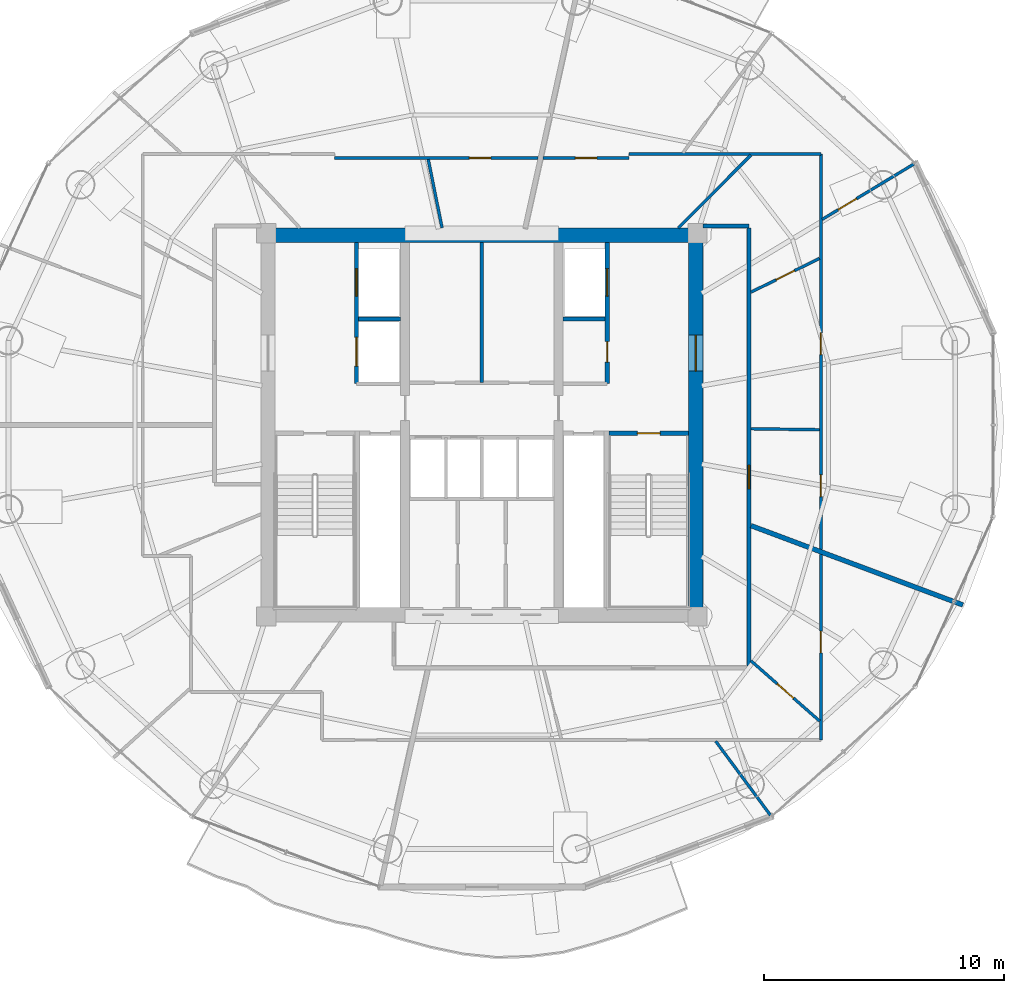
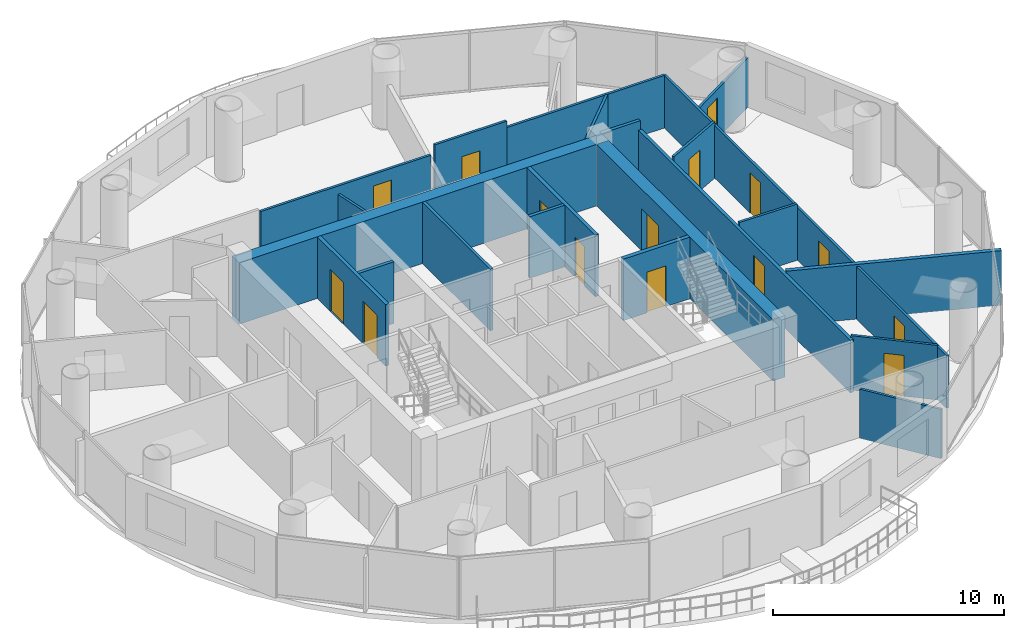
# One storey, part 22 of 26: 23 walls, 15 doors, 15 openings.
"""IFC4 building model written with IfcOpenShell, lengths in metres."""

from ifc_helpers import new_model, si_unit, direction, frame, frame_2d, origin, place, context, subcontext, project, spatial, rectangle, extrude, source, transform, mapped, material, layer, layer_set, type_object, element, fill, save


model = new_model("IFC4")

# Units and contexts
model_context = context("Model", 3, precision=1e-05, world=origin(), true_north=direction((-0.2419218956, 0.970295726276)))
body_context = subcontext(model_context, "Body", "Model", "MODEL_VIEW")
ifc_project = project(units=[si_unit("LENGTHUNIT", "METRE"), si_unit("AREAUNIT", "SQUARE_METRE"), si_unit("VOLUMEUNIT", "CUBIC_METRE"), si_unit("PLANEANGLEUNIT", "RADIAN"), si_unit("MASSUNIT", "GRAM", prefix="KILO")], contexts=[model_context])

# Site, building, storey
site_placement = place(None, origin())
site = spatial("IfcSite", under=ifc_project, at=site_placement, CompositionType="ELEMENT")
building_placement = place(site_placement, origin())
building = spatial("IfcBuilding", under=site, at=building_placement, Name="Cobrevalo Terracotta Tower", CompositionType="ELEMENT")
storey_placement = place(building_placement, frame((0.0, 0.0, 239.300048828125)))
storey = spatial("IfcBuildingStorey", under=building, at=storey_placement, Name="L63", CompositionType="ELEMENT", Elevation=239.300048828125)

# Wall
ifc_material_1 = material(Name="Concrete C55", Category="concrete")
ifc_layer_1 = layer(ifc_material_1, 0.60009765625)
ifc_layer_set_1 = layer_set([ifc_layer_1], Name="Concrete C55")
wall_type_1 = type_object("IfcWallType", Name="Core shear wall 600 mm Concrete C55", PredefinedType="SHEAR", material=ifc_layer_set_1)
wall_1_placement = place(storey_placement, frame((28.77490234375, 34.72509765625, 0.0), z_axis=(0.0, 0.0, 1.0), x_axis=(1.0, 0.0, 0.0)))
element("IfcWall", 1, at=wall_1_placement, inside=storey, type_object=wall_type_1, Name="L63 north core shear wall", PredefinedType="SHEAR", context=body_context, shape_type="SweptSolid", body=[
    extrude(rectangle(XDim=18.4501953125, YDim=0.60009765625, at=frame_2d((9.22509765625, 0.0))), origin(), (0.0, 0.0, 1.0), 3.25),
])

# Wall, opening, door
wall_2_placement = place(storey_placement, frame((46.925048828125, 19.175048828125, 0.0), z_axis=(0.0, 0.0, 1.0), x_axis=(0.0, 1.0, 0.0)))
wall_2 = element("IfcWall", 2, at=wall_2_placement, inside=storey, type_object=wall_type_1, Name="L63 east core shear wall", PredefinedType="SHEAR", context=body_context, shape_type="SweptSolid", body=[
    extrude(rectangle(XDim=15.25, YDim=0.60009765625, at=frame_2d((7.625, 0.0))), origin(), (0.0, 0.0, 1.0), 3.25),
])
opening_1_placement = place(wall_2_placement, frame((9.875, 0.0, 0.0)))
opening_1 = element("IfcOpeningElement", 3, at=opening_1_placement, cuts=wall_2, Name="Opening ID-14", PredefinedType="OPENING", context=body_context, shape_type="SweptSolid", body=[
    extrude(rectangle(XDim=1.5, YDim=2.199951171875, at=frame_2d((0.75, 1.10009765625))), frame((0.0, 0.31005859375, 0.0), z_axis=(0.0, -1.0, 0.0), x_axis=(1.0, 0.0, 0.0)), (0.0, 0.0, 1.0), 0.6201171875),
])
ifc_material_2 = material(Name="Galvanized fire-rated steel", Category="steel")
door_type_1 = type_object("IfcDoorType", Name="Core cross-lobby double fire door 1500x2200 EI 90", OperationType="NOTDEFINED", PredefinedType="DOOR", material=ifc_material_2)
shared_shape_1 = source(origin(), body_context, "Body", "SweptSolid", [
    extrude(rectangle(XDim=1.5, YDim=2.199951171875, at=frame_2d((0.75, 1.10009765625))), frame((0.0, 0.02490234375, 0.0), z_axis=(0.0, -1.0, 0.0), x_axis=(1.0, 0.0, 0.0)), (0.0, 0.0, 1.0), 0.050048828125),
])
door_1_placement = place(opening_1_placement, frame((1.5, 0.0, 0.0), z_axis=(0.0, 0.0, 1.0), x_axis=(-1.0, 0.0, 0.0)))
door_1 = element("IfcDoor", 4, at=door_1_placement, inside=storey, type_object=door_type_1, Name="L63 east firefighting lobby entrance door", OperationType="DOUBLE_DOOR_SINGLE_SWING", OverallHeight=2.199951171875, OverallWidth=1.5, PredefinedType="DOOR", context=body_context, shape_type="MappedRepresentation", body=[
    mapped(shared_shape_1, transform((0.0, 0.0, 0.0), scale=1.0)),
])
fill(opening_1, door_1)

# Walls
ifc_material_3 = material(Name="Gypsum board on steel stud", Category="steel")
ifc_layer_2 = layer(ifc_material_3, 0.159912109375)
ifc_layer_set_2 = layer_set([ifc_layer_2], Name="Gypsum board on steel stud")
wall_type_2 = type_object("IfcWallType", Name="Fire-rated corridor acoustic partition wall 160 mm", PredefinedType="PARTITIONING", material=ifc_layer_set_2)
for number, where, z_axis, x_axis, name in (
    (5, (32.860107421875, 31.219970703125, 0.0), (0.0, 0.0, 1.0), (1.0, 0.0, 0.0), "L63 interior partition IW-L63-FF1-M"),
    (6, (41.389892578125, 31.219970703125, 0.0), (0.0, 0.0, 1.0), (1.0, 0.0, 0.0), "L63 interior partition IW-L63-FF2-M"),
):
    element("IfcWall", number, at=place(storey_placement, frame(where, z_axis=z_axis, x_axis=x_axis)), inside=storey, type_object=wall_type_2, Name=name, PredefinedType="PARTITIONING", context=body_context, shape_type="SweptSolid", body=[
        extrude(rectangle(XDim=1.75, YDim=0.159912109375, at=frame_2d((0.875, 0.0))), origin(), (0.0, 0.0, 1.0), 3.25),
    ])

# Wall, opening, door
wall_3_placement = place(storey_placement, frame((49.155029296875, 16.72509765625, 0.0), z_axis=(0.0, 0.0, 1.0), x_axis=(0.0, 1.0, 0.0)))
wall_3 = element("IfcWall", 7, at=wall_3_placement, inside=storey, type_object=wall_type_2, Name="L63 interior partition IW-L63-COR-E", PredefinedType="PARTITIONING", context=body_context, shape_type="SweptSolid", body=[
    extrude(rectangle(XDim=18.2998046875, YDim=0.159912109375, at=frame_2d((9.14990234375, 0.0))), origin(), (0.0, 0.0, 1.0), 2.77490234375),
])
opening_2_placement = place(wall_3_placement, frame((7.4013671875, 0.0, 0.0)))
opening_2 = element("IfcOpeningElement", 8, at=opening_2_placement, cuts=wall_3, Name="Opening ID-05", PredefinedType="OPENING", context=body_context, shape_type="SweptSolid", body=[
    extrude(rectangle(XDim=0.97998046875, YDim=2.199951171875, at=frame_2d((0.489990234375, 1.10009765625))), frame((0.0, 0.08984375, 0.0), z_axis=(0.0, -1.0, 0.0), x_axis=(1.0, 0.0, 0.0)), (0.0, 0.0, 1.0), 0.179931640625),
])
ifc_material_4 = material(Name="Solid hardwood timber", Category="wood")
door_type_2 = type_object("IfcDoorType", Name="Residence entrance fire-rated acoustic timber door 980x2200 EI 60", OperationType="NOTDEFINED", PredefinedType="DOOR", material=ifc_material_4)
shared_shape_2 = source(origin(), body_context, "Body", "SweptSolid", [
    extrude(rectangle(XDim=0.97998046875, YDim=2.199951171875, at=frame_2d((0.489990234375, 1.10009765625))), frame((0.0, 0.02490234375, 0.0), z_axis=(0.0, -1.0, 0.0), x_axis=(1.0, 0.0, 0.0)), (0.0, 0.0, 1.0), 0.050048828125),
])
door_2_placement = place(opening_2_placement, frame((0.97998046875, 0.0, 0.0), z_axis=(0.0, 0.0, 1.0), x_axis=(-1.0, 0.0, 0.0)))
door_2 = element("IfcDoor", 9, at=door_2_placement, inside=storey, type_object=door_type_2, Name="Flat L63A fire-rated apartment entrance door", OperationType="SINGLE_SWING_LEFT", OverallHeight=2.199951171875, OverallWidth=0.97998046875, PredefinedType="DOOR", context=body_context, shape_type="MappedRepresentation", body=[
    mapped(shared_shape_2, transform((0.0, 0.0, 0.0), scale=1.0)),
])
fill(opening_2, door_2)

# Wall
wall_4_placement = place(storey_placement, frame((47.22509765625, 35.10498046875, 0.0), z_axis=(0.0, 0.0, 1.0), x_axis=(1.0, 0.0, 0.0)))
element("IfcWall", 10, at=wall_4_placement, inside=storey, type_object=wall_type_2, Name="L63 interior partition IW-L63-COR-EN-CAP", PredefinedType="PARTITIONING", context=body_context, shape_type="SweptSolid", body=[
    extrude(rectangle(XDim=1.929931640625, YDim=0.159912109375, at=frame_2d((0.96484375, 0.0))), origin(), (0.0, 0.0, 1.0), 3.25),
])

# Wall, openings, doors
ifc_layer_3 = layer(ifc_material_3, 0.179931640625)
ifc_layer_set_3 = layer_set([ifc_layer_3], Name="Gypsum board on steel stud")
wall_type_3 = type_object("IfcWallType", Name="Fire-rated shaft & lobby acoustic partition wall 180 mm", PredefinedType="PARTITIONING", material=ifc_layer_set_3)
wall_5_placement = place(storey_placement, frame((32.77001953125, 28.52001953125, 0.0), z_axis=(0.0, 0.0, 1.0), x_axis=(0.0, 1.0, 0.0)))
wall_5 = element("IfcWall", 11, at=wall_5_placement, inside=storey, type_object=wall_type_3, Name="L63 interior partition IW-L63-FF1-W", PredefinedType="PARTITIONING", context=body_context, shape_type="SweptSolid", body=[
    extrude(rectangle(XDim=5.905029296875, YDim=0.179931640625, at=frame_2d((2.95263671875, 0.0))), origin(), (0.0, 0.0, 1.0), 3.25),
])
opening_3_placement = place(wall_5_placement, frame((3.655029296875, 0.0, 0.0)))
opening_3 = element("IfcOpeningElement", 12, at=opening_3_placement, cuts=wall_5, Name="Opening LD-02", PredefinedType="OPENING", context=body_context, shape_type="SweptSolid", body=[
    extrude(rectangle(XDim=1.14990234375, YDim=2.199951171875, at=frame_2d((0.574951171875, 1.10009765625))), frame((0.0, 0.10009765625, 0.0), z_axis=(0.0, -1.0, 0.0), x_axis=(1.0, 0.0, 0.0)), (0.0, 0.0, 1.0), 0.199951171875),
])
opening_4_placement = place(wall_5_placement, frame((0.72998046875, 0.0, 0.0)))
opening_4 = element("IfcOpeningElement", 13, at=opening_4_placement, cuts=wall_5, Name="Opening LD-03", PredefinedType="OPENING", context=body_context, shape_type="SweptSolid", body=[
    extrude(rectangle(XDim=1.199951171875, YDim=2.25, at=frame_2d((0.60009765625, 1.125))), frame((0.0, 0.10009765625, 0.0), z_axis=(0.0, -1.0, 0.0), x_axis=(1.0, 0.0, 0.0)), (0.0, 0.0, 1.0), 0.199951171875),
])
ifc_material_5 = material(Name="Brushed stainless steel", Category="steel")
door_type_3 = type_object("IfcDoorType", Name="Firefighting lift landing bi-parting sliding door 1150x2200 EI 120", OperationType="DOUBLE_DOOR_SLIDING", PredefinedType="DOOR", material=ifc_material_5)
shared_shape_3 = source(origin(), body_context, "Body", "SweptSolid", [
    extrude(rectangle(XDim=1.14990234375, YDim=2.199951171875, at=frame_2d((0.574951171875, 1.10009765625))), frame((0.0, 0.02490234375, 0.0), z_axis=(0.0, -1.0, 0.0), x_axis=(1.0, 0.0, 0.0)), (0.0, 0.0, 1.0), 0.050048828125),
])
door_3_placement = place(opening_3_placement, origin())
door_3 = element("IfcDoor", 14, at=door_3_placement, inside=storey, type_object=door_type_3, Name="L63 lift landing door FF-1", OperationType="DOUBLE_DOOR_SLIDING", OverallHeight=2.199951171875, OverallWidth=1.14990234375, PredefinedType="DOOR", context=body_context, shape_type="MappedRepresentation", body=[
    mapped(shared_shape_3, transform((0.0, 0.0, 0.0), scale=1.0)),
])
fill(opening_3, door_3)
door_type_4 = type_object("IfcDoorType", Name="Service lift landing bi-parting sliding door 1200x2250 EI 120", OperationType="DOUBLE_DOOR_SLIDING", PredefinedType="DOOR", material=ifc_material_5)
shared_shape_4 = source(origin(), body_context, "Body", "SweptSolid", [
    extrude(rectangle(XDim=1.199951171875, YDim=2.25, at=frame_2d((0.60009765625, 1.125))), frame((0.0, 0.02490234375, 0.0), z_axis=(0.0, -1.0, 0.0), x_axis=(1.0, 0.0, 0.0)), (0.0, 0.0, 1.0), 0.050048828125),
])
door_4_placement = place(opening_4_placement, origin())
door_4 = element("IfcDoor", 15, at=door_4_placement, inside=storey, type_object=door_type_4, Name="L63 lift landing door SV-1", OperationType="DOUBLE_DOOR_SLIDING", OverallHeight=2.25, OverallWidth=1.199951171875, PredefinedType="DOOR", context=body_context, shape_type="MappedRepresentation", body=[
    mapped(shared_shape_4, transform((0.0, 0.0, 0.0), scale=1.0)),
])
fill(opening_4, door_4)

wall_6_placement = place(storey_placement, frame((43.22998046875, 28.52001953125, 0.0), z_axis=(0.0, 0.0, 1.0), x_axis=(0.0, 1.0, 0.0)))
wall_6 = element("IfcWall", 16, at=wall_6_placement, inside=storey, type_object=wall_type_3, Name="L63 interior partition IW-L63-FF2-E", PredefinedType="PARTITIONING", context=body_context, shape_type="SweptSolid", body=[
    extrude(rectangle(XDim=5.905029296875, YDim=0.179931640625, at=frame_2d((2.95263671875, 0.0))), origin(), (0.0, 0.0, 1.0), 3.25),
])
opening_5_placement = place(wall_6_placement, frame((0.905029296875, 0.0, 0.0)))
opening_5 = element("IfcOpeningElement", 17, at=opening_5_placement, cuts=wall_6, Name="Opening ID-22", PredefinedType="OPENING", context=body_context, shape_type="SweptSolid", body=[
    extrude(rectangle(XDim=0.85009765625, YDim=2.10009765625, at=frame_2d((0.425048828125, 1.050048828125))), frame((0.0, 0.10009765625, 0.0), z_axis=(0.0, -1.0, 0.0), x_axis=(1.0, 0.0, 0.0)), (0.0, 0.0, 1.0), 0.199951171875),
])
opening_6_placement = place(wall_6_placement, frame((3.655029296875, 0.0, 0.0)))
opening_6 = element("IfcOpeningElement", 18, at=opening_6_placement, cuts=wall_6, Name="Opening LD-02", PredefinedType="OPENING", context=body_context, shape_type="SweptSolid", body=[
    extrude(rectangle(XDim=1.14990234375, YDim=2.199951171875, at=frame_2d((0.574951171875, 1.10009765625))), frame((0.0, 0.10009765625, 0.0), z_axis=(0.0, -1.0, 0.0), x_axis=(1.0, 0.0, 0.0)), (0.0, 0.0, 1.0), 0.199951171875),
])
ifc_material_6 = material(Name="Powder-coated steel", Category="steel")
door_type_5 = type_object("IfcDoorType", Name="Riser shaft & meter closet fire access door 850x2100 EI 60", OperationType="NOTDEFINED", PredefinedType="DOOR", material=ifc_material_6)
shared_shape_5 = source(origin(), body_context, "Body", "SweptSolid", [
    extrude(rectangle(XDim=0.85009765625, YDim=2.10009765625, at=frame_2d((0.425048828125, 1.050048828125))), frame((0.0, 0.02490234375, 0.0), z_axis=(0.0, -1.0, 0.0), x_axis=(1.0, 0.0, 0.0)), (0.0, 0.0, 1.0), 0.050048828125),
])
door_5_placement = place(opening_5_placement, frame((0.85009765625, 0.0, 0.0), z_axis=(0.0, 0.0, 1.0), x_axis=(-1.0, 0.0, 0.0)))
door_5 = element("IfcDoor", 19, at=door_5_placement, inside=storey, type_object=door_type_5, Name="L63 housekeeping store door", OperationType="SINGLE_SWING_RIGHT", OverallHeight=2.10009765625, OverallWidth=0.85009765625, PredefinedType="DOOR", context=body_context, shape_type="MappedRepresentation", body=[
    mapped(shared_shape_5, transform((0.0, 0.0, 0.0), scale=1.0)),
])
fill(opening_5, door_5)
door_6_placement = place(opening_6_placement, origin())
door_6 = element("IfcDoor", 20, at=door_6_placement, inside=storey, type_object=door_type_3, Name="L63 lift landing door FF-2", OperationType="DOUBLE_DOOR_SLIDING", OverallHeight=2.199951171875, OverallWidth=1.14990234375, PredefinedType="DOOR", context=body_context, shape_type="MappedRepresentation", body=[
    mapped(shared_shape_3, transform((0.0, 0.0, 0.0), scale=1.0)),
])
fill(opening_6, door_6)

# Walls
ifc_material_7 = material(Name="Autoclaved aerated concrete block", Category="concrete")
ifc_layer_4 = layer(ifc_material_7, 0.199951171875)
ifc_layer_set_4 = layer_set([ifc_layer_4], Name="Autoclaved aerated concrete block")
wall_type_4 = type_object("IfcWallType", Name="Fire-rated stair, shaft & demising masonry wall 200 mm", PredefinedType="PARTITIONING", material=ifc_layer_set_4)
wall_7_placement = place(storey_placement, frame((49.23681640625, 22.593994140625, 0.0), z_axis=(0.0, 0.0, 1.0), x_axis=(0.936534016635, -0.350576718687, 0.0)))
element("IfcWall", 21, at=wall_7_placement, inside=storey, type_object=wall_type_4, Name="L63 interior partition IW-L63-DEM-1", PredefinedType="PARTITIONING", context=body_context, shape_type="SweptSolid", body=[
    extrude(rectangle(XDim=9.446044921875, YDim=0.199951171875, at=frame_2d((4.72314453125, 0.0))), origin(), (0.0, 0.0, 1.0), 2.880859375),
])
ifc_layer_5 = layer(ifc_material_7, 0.139892578125)
ifc_layer_set_5 = layer_set([ifc_layer_5], Name="Autoclaved aerated concrete block")
wall_type_5 = type_object("IfcWallType", Name="Moisture-resistant wet-room & core service partition 140 mm", PredefinedType="PARTITIONING", material=ifc_layer_set_5)
wall_8_placement = place(storey_placement, frame((38.0, 28.56005859375, 0.0), z_axis=(0.0, 0.0, 1.0), x_axis=(0.0, 1.0, 0.0)))
element("IfcWall", 22, at=wall_8_placement, inside=storey, type_object=wall_type_5, Name="L63 interior partition IW-L63-KVN-1", PredefinedType="PARTITIONING", context=body_context, shape_type="SweptSolid", body=[
    extrude(rectangle(XDim=5.864990234375, YDim=0.139892578125, at=frame_2d((2.9326171875, 0.0))), origin(), (0.0, 0.0, 1.0), 3.25),
])

# Wall, opening, door
ifc_layer_6 = layer(ifc_material_3, 0.1201171875)
ifc_layer_set_6 = layer_set([ifc_layer_6], Name="Gypsum board on steel stud")
wall_type_6 = type_object("IfcWallType", Name="Residential internal acoustic stud partition 120 mm", PredefinedType="PARTITIONING", material=ifc_layer_set_6)
wall_9_placement = place(storey_placement, frame((40.55517578125, 37.945068359375, 0.0), z_axis=(0.0, 0.0, 1.0), x_axis=(1.0, 0.0, 0.0)))
wall_9 = element("IfcWall", 23, at=wall_9_placement, inside=storey, type_object=wall_type_6, Name="L63 interior partition IW-L63-U1-RING0_0", PredefinedType="PARTITIONING", context=body_context, shape_type="SweptSolid", body=[
    extrude(rectangle(XDim=3.58984375, YDim=0.1201171875, at=frame_2d((1.794921875, 0.0))), origin(), (0.0, 0.0, 1.0), 3.25),
])
opening_7_placement = place(wall_9_placement, frame((1.344970703125, 0.0, 0.0)))
opening_7 = element("IfcOpeningElement", 24, at=opening_7_placement, cuts=wall_9, Name="Opening ID-12", PredefinedType="OPENING", context=body_context, shape_type="SweptSolid", body=[
    extrude(rectangle(XDim=0.89990234375, YDim=2.14990234375, at=frame_2d((0.449951171875, 1.074951171875))), frame((0.0, 0.070068359375, 0.0), z_axis=(0.0, -1.0, 0.0), x_axis=(1.0, 0.0, 0.0)), (0.0, 0.0, 1.0), 0.14013671875),
])
ifc_material_8 = material(Name="Engineered timber", Category="wood")
door_type_6 = type_object("IfcDoorType", Name="Internal residence & suite timber door 900x2150", OperationType="NOTDEFINED", PredefinedType="DOOR", material=ifc_material_8)
shared_shape_6 = source(origin(), body_context, "Body", "SweptSolid", [
    extrude(rectangle(XDim=0.89990234375, YDim=2.14990234375, at=frame_2d((0.449951171875, 1.074951171875))), frame((0.0, 0.02490234375, 0.0), z_axis=(0.0, -1.0, 0.0), x_axis=(1.0, 0.0, 0.0)), (0.0, 0.0, 1.0), 0.050048828125),
])
door_7_placement = place(opening_7_placement, frame((0.89990234375, 0.0, 0.0), z_axis=(0.0, 0.0, 1.0), x_axis=(-1.0, 0.0, 0.0)))
door_7 = element("IfcDoor", 25, at=door_7_placement, inside=storey, type_object=door_type_6, Name="Flat L63A Reception Hallway internal door", OperationType="SINGLE_SWING_LEFT", OverallHeight=2.14990234375, OverallWidth=0.89990234375, PredefinedType="DOOR", context=body_context, shape_type="MappedRepresentation", body=[
    mapped(shared_shape_6, transform((0.0, 0.0, 0.0), scale=1.0)),
])
fill(opening_7, door_7)

# Wall
wall_10_placement = place(storey_placement, frame((44.14501953125, 38.10498046875, 0.0), z_axis=(0.0, 0.0, 1.0), x_axis=(1.0, 0.0, 0.0)))
element("IfcWall", 26, at=wall_10_placement, inside=storey, type_object=wall_type_6, Name="L63 interior partition IW-L63-U1-RING2_0", PredefinedType="PARTITIONING", context=body_context, shape_type="SweptSolid", body=[
    extrude(rectangle(XDim=8.010009765625, YDim=0.1201171875, at=frame_2d((4.0048828125, 0.0))), origin(), (0.0, 0.0, 1.0), 2.77490234375),
])

# Wall, openings, doors
wall_11_placement = place(storey_placement, frame((52.155029296875, 38.10498046875, 0.0), z_axis=(0.0, 0.0, 1.0), x_axis=(0.0, -1.0, 0.0)))
wall_11 = element("IfcWall", 27, at=wall_11_placement, inside=storey, type_object=wall_type_6, Name="L63 interior partition IW-L63-U1-RING3_0", PredefinedType="PARTITIONING", context=body_context, shape_type="SweptSolid", body=[
    extrude(rectangle(XDim=16.50146484375, YDim=0.1201171875, at=frame_2d((8.250732421875, 0.0))), origin(), (0.0, 0.0, 1.0), 2.77490234375),
])
opening_8_placement = place(wall_11_placement, frame((13.394775390625, 0.0, 0.0)))
opening_8 = element("IfcOpeningElement", 28, at=opening_8_placement, cuts=wall_11, Name="Opening ID-12", PredefinedType="OPENING", context=body_context, shape_type="SweptSolid", body=[
    extrude(rectangle(XDim=0.89990234375, YDim=2.14990234375, at=frame_2d((0.449951171875, 1.074951171875))), frame((0.0, 0.070068359375, 0.0), z_axis=(0.0, -1.0, 0.0), x_axis=(1.0, 0.0, 0.0)), (0.0, 0.0, 1.0), 0.14013671875),
])
opening_9_placement = place(wall_11_placement, frame((7.466552734375, 0.0, 0.0)))
opening_9 = element("IfcOpeningElement", 29, at=opening_9_placement, cuts=wall_11, Name="Opening ID-12", PredefinedType="OPENING", context=body_context, shape_type="SweptSolid", body=[
    extrude(rectangle(XDim=0.89990234375, YDim=2.14990234375, at=frame_2d((0.449951171875, 1.074951171875))), frame((0.0, 0.070068359375, 0.0), z_axis=(0.0, -1.0, 0.0), x_axis=(1.0, 0.0, 0.0)), (0.0, 0.0, 1.0), 0.14013671875),
])
door_8_placement = place(opening_8_placement, origin())
door_8 = element("IfcDoor", 30, at=door_8_placement, inside=storey, type_object=door_type_6, Name="Flat L63A Penthouse Living and Dining Room internal door", OperationType="SINGLE_SWING_RIGHT", OverallHeight=2.14990234375, OverallWidth=0.89990234375, PredefinedType="DOOR", context=body_context, shape_type="MappedRepresentation", body=[
    mapped(shared_shape_6, transform((0.0, 0.0, 0.0), scale=1.0)),
])
fill(opening_8, door_8)
door_9_placement = place(opening_9_placement, frame((0.89990234375, 0.0, 0.0), z_axis=(0.0, 0.0, 1.0), x_axis=(-1.0, 0.0, 0.0)))
door_9 = element("IfcDoor", 31, at=door_9_placement, inside=storey, type_object=door_type_6, Name="Flat L63A Kitchen internal door", OperationType="SINGLE_SWING_LEFT", OverallHeight=2.14990234375, OverallWidth=0.89990234375, PredefinedType="DOOR", context=body_context, shape_type="MappedRepresentation", body=[
    mapped(shared_shape_6, transform((0.0, 0.0, 0.0), scale=1.0)),
])
fill(opening_9, door_9)

# Wall, opening, door
wall_12_placement = place(storey_placement, frame((52.2080078125, 35.37890625, 0.0), z_axis=(0.0, 0.0, 1.0), x_axis=(0.856039372964, 0.516910622774, 0.0)))
wall_12 = element("IfcWall", 32, at=wall_12_placement, inside=storey, type_object=wall_type_6, Name="L63 interior partition IW-L63-U1-ORAD1", PredefinedType="PARTITIONING", context=body_context, shape_type="SweptSolid", body=[
    extrude(rectangle(XDim=4.471435546875, YDim=0.1201171875, at=frame_2d((2.23583984375, 0.0))), origin(), (0.0, 0.0, 1.0), 2.599853515625),
])
opening_10_placement = place(wall_12_placement, frame((0.778564453125, 0.0, 0.0)))
opening_10 = element("IfcOpeningElement", 33, at=opening_10_placement, cuts=wall_12, Name="Opening ID-12", PredefinedType="OPENING", context=body_context, shape_type="SweptSolid", body=[
    extrude(rectangle(XDim=0.89990234375, YDim=2.14990234375, at=frame_2d((0.449951171875, 1.074951171875))), frame((0.0, 0.070068359375, 0.0), z_axis=(0.0, -1.0, 0.0), x_axis=(1.0, 0.0, 0.0)), (0.0, 0.0, 1.0), 0.14013671875),
])
door_10_placement = place(opening_10_placement, origin())
door_10 = element("IfcDoor", 34, at=door_10_placement, inside=storey, type_object=door_type_6, Name="Flat L63A Master Bedroom internal door", OperationType="SINGLE_SWING_RIGHT", OverallHeight=2.14990234375, OverallWidth=0.89990234375, PredefinedType="DOOR", context=body_context, shape_type="MappedRepresentation", body=[
    mapped(shared_shape_6, transform((0.0, 0.0, 0.0), scale=1.0)),
])
fill(opening_10, door_10)

# Wall
wall_13_placement = place(storey_placement, frame((49.237060546875, 26.638671875, 0.0), z_axis=(0.0, 0.0, 1.0), x_axis=(0.999896890624, -0.014359948506, 0.0)))
element("IfcWall", 35, at=wall_13_placement, inside=storey, type_object=wall_type_6, Name="L63 interior partition IW-L63-U1-IRAD1", PredefinedType="PARTITIONING", context=body_context, shape_type="SweptSolid", body=[
    extrude(rectangle(XDim=2.856201171875, YDim=0.1201171875, at=frame_2d((1.42822265625, 0.0))), origin(), (0.0, 0.0, 1.0), 2.968994140625),
])

# Wall, opening, door
wall_14_placement = place(storey_placement, frame((49.23681640625, 32.34130859375, 0.0), z_axis=(0.0, 0.0, 1.0), x_axis=(0.896876689717, 0.442280684004, 0.0)))
wall_14 = element("IfcWall", 36, at=wall_14_placement, inside=storey, type_object=wall_type_6, Name="L63 interior partition IW-L63-U1-IRAD2", PredefinedType="PARTITIONING", context=body_context, shape_type="SweptSolid", body=[
    extrude(rectangle(XDim=3.191650390625, YDim=0.1201171875, at=frame_2d((1.595703125, 0.0))), origin(), (0.0, 0.0, 1.0), 2.968994140625),
])
opening_11_placement = place(wall_14_placement, frame((1.166015625, 0.0, 0.0)))
opening_11 = element("IfcOpeningElement", 37, at=opening_11_placement, cuts=wall_14, Name="Opening ID-19", PredefinedType="OPENING", context=body_context, shape_type="SweptSolid", body=[
    extrude(rectangle(XDim=0.860107421875, YDim=2.14990234375, at=frame_2d((0.43017578125, 1.074951171875))), frame((0.0, 0.070068359375, 0.0), z_axis=(0.0, -1.0, 0.0), x_axis=(1.0, 0.0, 0.0)), (0.0, 0.0, 1.0), 0.14013671875),
])
ifc_material_9 = material(Name="Moisture-sealed timber", Category="wood")
door_type_7 = type_object("IfcDoorType", Name="Suite bathroom internal timber door 860x2150", OperationType="NOTDEFINED", PredefinedType="DOOR", material=ifc_material_9)
shared_shape_7 = source(origin(), body_context, "Body", "SweptSolid", [
    extrude(rectangle(XDim=0.860107421875, YDim=2.14990234375, at=frame_2d((0.43017578125, 1.074951171875))), frame((0.0, 0.02490234375, 0.0), z_axis=(0.0, -1.0, 0.0), x_axis=(1.0, 0.0, 0.0)), (0.0, 0.0, 1.0), 0.050048828125),
])
door_11_placement = place(opening_11_placement, origin())
door_11 = element("IfcDoor", 38, at=door_11_placement, inside=storey, type_object=door_type_7, Name="Flat L63A Primary Bathroom internal door", OperationType="SINGLE_SWING_LEFT", OverallHeight=2.14990234375, OverallWidth=0.860107421875, PredefinedType="DOOR", context=body_context, shape_type="MappedRepresentation", body=[
    mapped(shared_shape_7, transform((0.0, 0.0, 0.0), scale=1.0)),
])
fill(opening_11, door_11)

# Wall
wall_15_placement = place(storey_placement, frame((46.203125, 35.0263671875, 0.0), z_axis=(0.0, 0.0, 1.0), x_axis=(0.706080585752, 0.708131489502, 0.0)))
element("IfcWall", 39, at=wall_15_placement, inside=storey, type_object=wall_type_6, Name="L63 interior partition IW-L63-U1-IRAD3", PredefinedType="PARTITIONING", context=body_context, shape_type="SweptSolid", body=[
    extrude(rectangle(XDim=4.285400390625, YDim=0.1201171875, at=frame_2d((2.142578125, 0.0))), origin(), (0.0, 0.0, 1.0), 2.77490234375),
])

# Wall, opening, door
wall_16_placement = place(storey_placement, frame((31.85498046875, 37.945068359375, 0.0), z_axis=(0.0, 0.0, 1.0), x_axis=(1.0, 0.0, 0.0)))
wall_16 = element("IfcWall", 40, at=wall_16_placement, inside=storey, type_object=wall_type_6, Name="L63 interior partition IW-L63-U2-RING3_0", PredefinedType="PARTITIONING", context=body_context, shape_type="SweptSolid", body=[
    extrude(rectangle(XDim=8.496337890625, YDim=0.1201171875, at=frame_2d((4.248046875, 0.0))), origin(), (0.0, 0.0, 1.0), 2.77490234375),
])
opening_12_placement = place(wall_16_placement, frame((5.62548828125, 0.0, 0.0)))
opening_12 = element("IfcOpeningElement", 41, at=opening_12_placement, cuts=wall_16, Name="Opening ID-12", PredefinedType="OPENING", context=body_context, shape_type="SweptSolid", body=[
    extrude(rectangle(XDim=0.89990234375, YDim=2.14990234375, at=frame_2d((0.449951171875, 1.074951171875))), frame((0.0, 0.070068359375, 0.0), z_axis=(0.0, -1.0, 0.0), x_axis=(1.0, 0.0, 0.0)), (0.0, 0.0, 1.0), 0.14013671875),
])
door_12_placement = place(opening_12_placement, frame((0.89990234375, 0.0, 0.0), z_axis=(0.0, 0.0, 1.0), x_axis=(-1.0, 0.0, 0.0)))
door_12 = element("IfcDoor", 42, at=door_12_placement, inside=storey, type_object=door_type_6, Name="Flat L63B Home Office Study internal door", OperationType="SINGLE_SWING_RIGHT", OverallHeight=2.14990234375, OverallWidth=0.89990234375, PredefinedType="DOOR", context=body_context, shape_type="MappedRepresentation", body=[
    mapped(shared_shape_6, transform((0.0, 0.0, 0.0), scale=1.0)),
])
fill(opening_12, door_12)

# Wall
wall_17_placement = place(storey_placement, frame((36.3388671875, 35.02685546875, 0.0), z_axis=(0.0, 0.0, 1.0), x_axis=(-0.197903570547, 0.980221493727, 0.0)))
element("IfcWall", 43, at=wall_17_placement, inside=storey, type_object=wall_type_6, Name="L63 interior partition IW-L63-U2-IRAD1", PredefinedType="PARTITIONING", context=body_context, shape_type="SweptSolid", body=[
    extrude(rectangle(XDim=2.9150390625, YDim=0.1201171875, at=frame_2d((1.45751953125, 0.0))), origin(), (0.0, 0.0, 1.0), 2.33984375),
])

# Wall, opening, door
wall_18_placement = place(storey_placement, frame((52.155029296875, 21.399658203125, 0.0), z_axis=(0.0, 0.0, 1.0), x_axis=(0.0, -1.0, 0.0)))
wall_18 = element("IfcWall", 44, at=wall_18_placement, inside=storey, type_object=wall_type_6, Name="L63 interior partition IW-L63-U4-RING0_0", PredefinedType="PARTITIONING", context=body_context, shape_type="SweptSolid", body=[
    extrude(rectangle(XDim=7.754638671875, YDim=0.1201171875, at=frame_2d((3.87744140625, 0.0))), origin(), (0.0, 0.0, 1.0), 2.77490234375),
])
opening_13_placement = place(wall_18_placement, frame((3.2138671875, 0.0, 0.0)))
opening_13 = element("IfcOpeningElement", 45, at=opening_13_placement, cuts=wall_18, Name="Opening ID-12", PredefinedType="OPENING", context=body_context, shape_type="SweptSolid", body=[
    extrude(rectangle(XDim=0.89990234375, YDim=2.14990234375, at=frame_2d((0.449951171875, 1.074951171875))), frame((0.0, 0.070068359375, 0.0), z_axis=(0.0, -1.0, 0.0), x_axis=(1.0, 0.0, 0.0)), (0.0, 0.0, 1.0), 0.14013671875),
])
door_13_placement = place(opening_13_placement, origin())
door_13 = element("IfcDoor", 46, at=door_13_placement, inside=storey, type_object=door_type_6, Name="Flat L63D Master Bedroom internal door", OperationType="SINGLE_SWING_LEFT", OverallHeight=2.14990234375, OverallWidth=0.89990234375, PredefinedType="DOOR", context=body_context, shape_type="MappedRepresentation", body=[
    mapped(shared_shape_6, transform((0.0, 0.0, 0.0), scale=1.0)),
])
fill(opening_13, door_13)

# Wall
wall_19_placement = place(storey_placement, frame((47.763671875, 13.59521484375, 0.0), z_axis=(0.0, 0.0, 1.0), x_axis=(0.594530312724, -0.804073197696, 0.0)))
element("IfcWall", 47, at=wall_19_placement, inside=storey, type_object=wall_type_6, Name="L63 interior partition IW-L63-U4-ORAD1", PredefinedType="PARTITIONING", context=body_context, shape_type="SweptSolid", body=[
    extrude(rectangle(XDim=3.844970703125, YDim=0.1201171875, at=frame_2d((1.92236328125, 0.0))), origin(), (0.0, 0.0, 1.0), 2.599853515625),
])

# Wall, opening, door
wall_20_placement = place(storey_placement, frame((49.236572265625, 16.9501953125, 0.0), z_axis=(0.0, 0.0, 1.0), x_axis=(0.751994252696, -0.659169662463, 0.0)))
wall_20 = element("IfcWall", 48, at=wall_20_placement, inside=storey, type_object=wall_type_6, Name="L63 interior partition IW-L63-U4-IRAD2", PredefinedType="PARTITIONING", context=body_context, shape_type="SweptSolid", body=[
    extrude(rectangle(XDim=3.81884765625, YDim=0.1201171875, at=frame_2d((1.909423828125, 0.0))), origin(), (0.0, 0.0, 1.0), 2.880859375),
])
opening_14_placement = place(wall_20_placement, frame((1.45947265625, 0.0, 0.0)))
opening_14 = element("IfcOpeningElement", 49, at=opening_14_placement, cuts=wall_20, Name="Opening ID-12", PredefinedType="OPENING", context=body_context, shape_type="SweptSolid", body=[
    extrude(rectangle(XDim=0.89990234375, YDim=2.14990234375, at=frame_2d((0.449951171875, 1.074951171875))), frame((0.0, 0.070068359375, 0.0), z_axis=(0.0, -1.0, 0.0), x_axis=(1.0, 0.0, 0.0)), (0.0, 0.0, 1.0), 0.14013671875),
])
door_14_placement = place(opening_14_placement, origin())
door_14 = element("IfcDoor", 50, at=door_14_placement, inside=storey, type_object=door_type_6, Name="Flat L63D Kitchen internal door", OperationType="SINGLE_SWING_RIGHT", OverallHeight=2.14990234375, OverallWidth=0.89990234375, PredefinedType="DOOR", context=body_context, shape_type="MappedRepresentation", body=[
    mapped(shared_shape_6, transform((0.0, 0.0, 0.0), scale=1.0)),
])
fill(opening_14, door_14)

ifc_material_10 = material(Name="Concrete C50", Category="concrete")
ifc_layer_7 = layer(ifc_material_10, 0.199951171875)
ifc_layer_set_7 = layer_set([ifc_layer_7], Name="Concrete C50")
wall_type_7 = type_object("IfcWallType", Name="Structural core & podium stair-shaft RC wall 200 mm Concrete C50", PredefinedType="SOLIDWALL", material=ifc_layer_set_7)
wall_21_placement = place(storey_placement, frame((43.304931640625, 26.449951171875, 0.0), z_axis=(0.0, 0.0, 1.0), x_axis=(1.0, 0.0, 0.0)))
wall_21 = element("IfcWall", 51, at=wall_21_placement, inside=storey, type_object=wall_type_7, Name="L63 ST-2 north structural shaft wall", PredefinedType="SOLIDWALL", context=body_context, shape_type="SweptSolid", body=[
    extrude(rectangle(XDim=3.320068359375, YDim=0.199951171875, at=frame_2d((1.66015625, 0.0))), origin(), (0.0, 0.0, 1.0), 3.25),
])
opening_15_placement = place(wall_21_placement, frame((1.18505859375, 0.0, 0.0)))
opening_15 = element("IfcOpeningElement", 52, at=opening_15_placement, cuts=wall_21, Name="Opening ID-04", PredefinedType="OPENING", context=body_context, shape_type="SweptSolid", body=[
    extrude(rectangle(XDim=0.949951171875, YDim=2.14990234375, at=frame_2d((0.47509765625, 1.074951171875))), frame((0.0, 0.10986328125, 0.0), z_axis=(0.0, -1.0, 0.0), x_axis=(1.0, 0.0, 0.0)), (0.0, 0.0, 1.0), 0.219970703125),
])
door_type_8 = type_object("IfcDoorType", Name="Stair & firefighting lobby fire door 950x2150 EI 90", OperationType="NOTDEFINED", PredefinedType="DOOR", material=ifc_material_2)
shared_shape_8 = source(origin(), body_context, "Body", "SweptSolid", [
    extrude(rectangle(XDim=0.949951171875, YDim=2.14990234375, at=frame_2d((0.47509765625, 1.074951171875))), frame((0.0, 0.02490234375, 0.0), z_axis=(0.0, -1.0, 0.0), x_axis=(1.0, 0.0, 0.0)), (0.0, 0.0, 1.0), 0.050048828125),
])
door_15_placement = place(opening_15_placement, frame((0.949951171875, 0.0, 0.0), z_axis=(0.0, 0.0, 1.0), x_axis=(-1.0, 0.0, 0.0)))
door_15 = element("IfcDoor", 53, at=door_15_placement, inside=storey, type_object=door_type_8, Name="L63 protected stair ST2 fire door", OperationType="SINGLE_SWING_RIGHT", OverallHeight=2.14990234375, OverallWidth=0.949951171875, PredefinedType="DOOR", context=body_context, shape_type="MappedRepresentation", body=[
    mapped(shared_shape_8, transform((0.0, 0.0, 0.0), scale=1.0)),
])
fill(opening_15, door_15)

save(model, "model.ifc")
